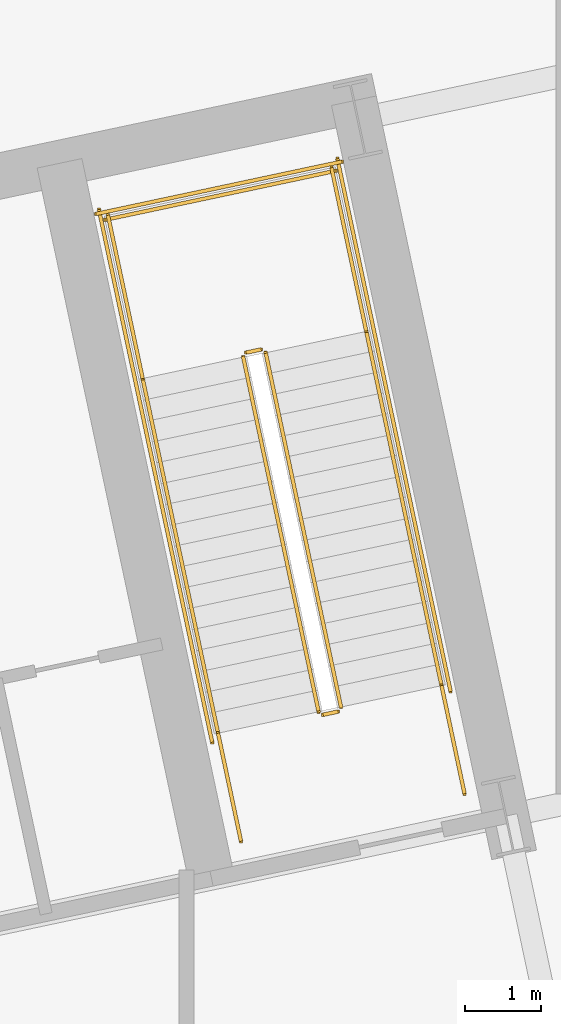
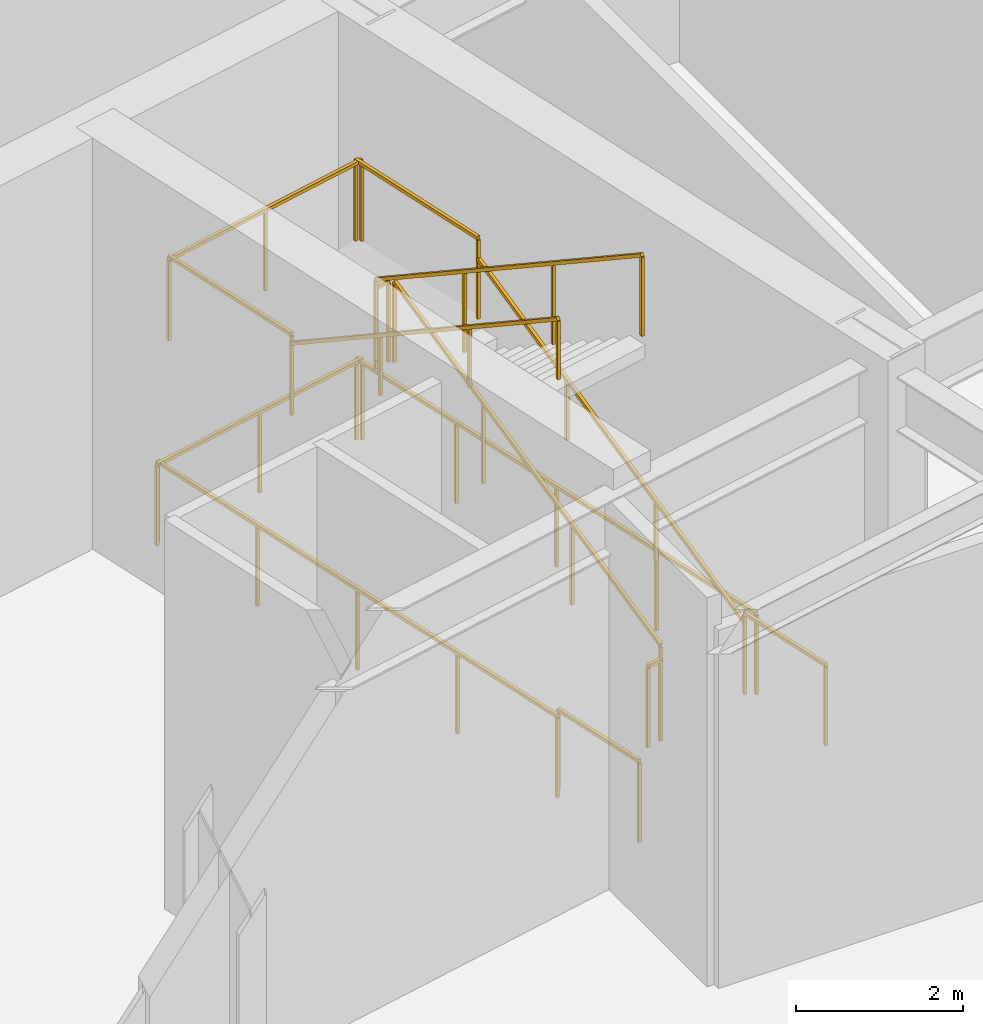
# One storey, part 29 of 30: 14 railings.
"""IFC4 building model written with IfcOpenShell, lengths in metres."""

from ifc_helpers import new_model, si_unit, direction, frame, origin, origin_2d, place, context, subcontext, project, spatial, rectangle, extrude, material, type_object, element, save


model = new_model("IFC4")

# Units and contexts
model_context = context("Model", 3, precision=1e-05, world=origin(), true_north=direction((0.0, 1.0)))
body_context = subcontext(model_context, "Body", "Model", "MODEL_VIEW")
ifc_project = project(units=[si_unit("LENGTHUNIT", "METRE"), si_unit("AREAUNIT", "SQUARE_METRE"), si_unit("VOLUMEUNIT", "CUBIC_METRE"), si_unit("PLANEANGLEUNIT", "RADIAN"), si_unit("MASSUNIT", "GRAM", prefix="KILO")], contexts=[model_context])

# Site, building, storey
site_placement = place(None, origin())
site = spatial("IfcSite", under=ifc_project, at=site_placement, CompositionType="ELEMENT")
building_placement = place(site_placement, origin())
building = spatial("IfcBuilding", under=site, at=building_placement, Name="Haevon Station Towers", CompositionType="ELEMENT")
storey_placement = place(building_placement, origin())
storey = spatial("IfcBuildingStorey", under=building, at=storey_placement, Name="L00", CompositionType="ELEMENT", Elevation=0.0)

# Railings
ifc_material = material(Name="Steel S355", Category="steel")
railing_type_1 = type_object("IfcRailingType", Name="GRD-STR1200", PredefinedType="GUARDRAIL", material=ifc_material)
railing_1_placement = place(storey_placement, frame((117.128662109375, 43.23974609375, 0.166748046875)))
element("IfcRailing", 1, at=railing_1_placement, inside=storey, type_object=railing_type_1, Name="L00 ST4 Stair Guard 1", PredefinedType="GUARDRAIL", context=body_context, shape_type="SweptSolid", body=[
    extrude(rectangle(XDim=0.048095703125, YDim=0.048095703125, at=origin_2d()), frame((0.0, 0.0, 1.17578125), z_axis=(-0.178672855234, 0.840520479072, 0.511469779227), x_axis=(-0.978144118706, -0.207928071797, 0.0)), (0.0, 0.0, 1.0), 5.53955078125),
    extrude(rectangle(XDim=0.0419921875, YDim=0.0419921875, at=origin_2d()), origin(), (0.0, 0.0, 1.0), 1.15185546875),
    extrude(rectangle(XDim=0.0419921875, YDim=0.0419921875, at=origin_2d()), frame((-0.329833984375, 1.552001953125, 0.9443359375)), (0.0, 0.0, 1.0), 1.15185546875),
    extrude(rectangle(XDim=0.0419921875, YDim=0.0419921875, at=origin_2d()), frame((-0.659912109375, 3.10400390625, 1.888916015625)), (0.0, 0.0, 1.0), 1.15185546875),
    extrude(rectangle(XDim=0.0419921875, YDim=0.0419921875, at=origin_2d()), frame((-0.98974609375, 4.656005859375, 2.833251953125)), (0.0, 0.0, 1.0), 1.15185546875),
])
railing_2_placement = place(storey_placement, frame((116.07958984375, 47.934326171875, 3.0)))
element("IfcRailing", 2, at=railing_2_placement, inside=storey, type_object=railing_type_1, Name="L00 ST4 Stair Guard 2", PredefinedType="GUARDRAIL", context=body_context, shape_type="SweptSolid", body=[
    extrude(rectangle(XDim=0.048095703125, YDim=0.048095703125, at=origin_2d()), frame((0.0, 0.0, 1.17578125), z_axis=(-0.977962931203, -0.208778603291, 0.0), x_axis=(0.208778603291, -0.977962931203, 0.0)), (0.0, 0.0, 1.0), 0.199951171875),
    extrude(rectangle(XDim=0.0419921875, YDim=0.0419921875, at=origin_2d()), origin(), (0.0, 0.0, 1.0), 1.15185546875),
    extrude(rectangle(XDim=0.0419921875, YDim=0.0419921875, at=origin_2d()), frame((-0.195556640625, -0.041748046875, 0.0)), (0.0, 0.0, 1.0), 1.15185546875),
])
for number, where, name in (
    (3, (117.45947265625, 48.176513671875, 3.0), "L00 ST4 Stair Guard 3"),
    (4, (114.52490234375, 47.552734375, 3.0), "L00 ST4 Stair Guard 4"),
):
    element("IfcRailing", number, at=place(storey_placement, frame(where)), inside=storey, type_object=railing_type_1, Name=name, PredefinedType="GUARDRAIL", context=body_context, shape_type="SweptSolid", body=[
        extrude(rectangle(XDim=0.048095703125, YDim=0.048095703125, at=origin_2d()), frame((0.0, 0.0, 1.17578125), z_axis=(-0.207914755032, 0.97814694941, 0.0), x_axis=(-0.97814694941, -0.207914755032, 0.0)), (0.0, 0.0, 1.0), 2.18994140625),
        extrude(rectangle(XDim=0.0419921875, YDim=0.0419921875, at=origin_2d()), origin(), (0.0, 0.0, 1.0), 1.15185546875),
        extrude(rectangle(XDim=0.0419921875, YDim=0.0419921875, at=origin_2d()), frame((-0.455322265625, 2.14208984375, 0.0)), (0.0, 0.0, 1.0), 1.15185546875),
    ])
railing_3_placement = place(storey_placement, frame((117.0634765625, 50.280029296875, 3.0)))
element("IfcRailing", 5, at=railing_3_placement, inside=storey, type_object=railing_type_1, Name="L00 ST4 Stair Guard 5", PredefinedType="GUARDRAIL", context=body_context, shape_type="SweptSolid", body=[
    extrude(rectangle(XDim=0.048095703125, YDim=0.048095703125, at=origin_2d()), frame((0.0, 0.0, 1.17578125), z_axis=(-0.978146839882, -0.207915270313, 0.0), x_axis=(0.207915270313, -0.978146839882, 0.0)), (0.0, 0.0, 1.0), 3.099853515625),
    extrude(rectangle(XDim=0.0419921875, YDim=0.0419921875, at=origin_2d()), origin(), (0.0, 0.0, 1.0), 1.15185546875),
    extrude(rectangle(XDim=0.0419921875, YDim=0.0419921875, at=origin_2d()), frame((-1.51611328125, -0.322265625, 0.0)), (0.0, 0.0, 1.0), 1.15185546875),
    extrude(rectangle(XDim=0.0419921875, YDim=0.0419921875, at=origin_2d()), frame((-3.0322265625, -0.64453125, 0.0)), (0.0, 0.0, 1.0), 1.15185546875),
])
railing_4_placement = place(storey_placement, frame((115.845458984375, 47.833251953125, 3.166748046875)))
element("IfcRailing", 6, at=railing_4_placement, inside=storey, type_object=railing_type_1, Name="L00 ST4 Stair Guard 6", PredefinedType="GUARDRAIL", context=body_context, shape_type="SweptSolid", body=[
    extrude(rectangle(XDim=0.048095703125, YDim=0.048095703125, at=origin_2d()), frame((0.0, 0.0, 1.17578125), z_axis=(0.178672855234, -0.840520479072, 0.511469779227), x_axis=(0.978144118706, 0.207928071797, 0.0)), (0.0, 0.0, 1.0), 5.53955078125),
    extrude(rectangle(XDim=0.0419921875, YDim=0.0419921875, at=origin_2d()), origin(), (0.0, 0.0, 1.0), 1.15185546875),
    extrude(rectangle(XDim=0.0419921875, YDim=0.0419921875, at=origin_2d()), frame((0.329833984375, -1.552001953125, 0.9443359375)), (0.0, 0.0, 1.0), 1.15185546875),
    extrude(rectangle(XDim=0.0419921875, YDim=0.0419921875, at=origin_2d()), frame((0.659912109375, -3.10400390625, 1.888916015625)), (0.0, 0.0, 1.0), 1.15185546875),
    extrude(rectangle(XDim=0.0419921875, YDim=0.0419921875, at=origin_2d()), frame((0.98974609375, -4.656005859375, 2.833251953125)), (0.0, 0.0, 1.0), 1.15185546875),
])
railing_5_placement = place(storey_placement, frame((117.090087890625, 43.180419921875, 0.0)))
element("IfcRailing", 7, at=railing_5_placement, inside=storey, type_object=railing_type_1, Name="L00 ST4 Stair Guard 7", PredefinedType="GUARDRAIL", context=body_context, shape_type="SweptSolid", body=[
    extrude(rectangle(XDim=0.048095703125, YDim=0.048095703125, at=origin_2d()), frame((0.0, 0.0, 1.17578125), z_axis=(-0.978211583308, -0.207610448392, 0.0), x_axis=(0.207610448392, -0.978211583308, 0.0)), (0.0, 0.0, 1.0), 0.199951171875),
    extrude(rectangle(XDim=0.0419921875, YDim=0.0419921875, at=origin_2d()), origin(), (0.0, 0.0, 1.0), 1.15185546875),
    extrude(rectangle(XDim=0.0419921875, YDim=0.0419921875, at=origin_2d()), frame((-0.195556640625, -0.04150390625, 0.0)), (0.0, 0.0, 1.0), 1.15185546875),
])
for number, where, name in (
    (8, (118.75048828125, 42.10205078125, 0.0), "L00 ST4 Stair Guard 8"),
    (9, (115.816162109375, 41.478271484375, 0.0), "L00 ST4 Stair Guard 9"),
):
    element("IfcRailing", number, at=place(storey_placement, frame(where)), inside=storey, type_object=railing_type_1, Name=name, PredefinedType="GUARDRAIL", context=body_context, shape_type="SweptSolid", body=[
        extrude(rectangle(XDim=0.048095703125, YDim=0.048095703125, at=origin_2d()), frame((0.0, 0.0, 1.17578125), z_axis=(-0.207919161079, 0.978146012851, 0.0), x_axis=(-0.978146012851, -0.207919161079, 0.0)), (0.0, 0.0, 1.0), 1.4501953125),
        extrude(rectangle(XDim=0.0419921875, YDim=0.0419921875, at=origin_2d()), origin(), (0.0, 0.0, 1.0), 1.15185546875),
        extrude(rectangle(XDim=0.0419921875, YDim=0.0419921875, at=origin_2d()), frame((-0.301513671875, 1.41845703125, 0.0)), (0.0, 0.0, 1.0), 1.15185546875),
    ])
railing_6_placement = place(storey_placement, frame((118.567626953125, 43.443359375, 0.0)))
element("IfcRailing", 10, at=railing_6_placement, inside=storey, type_object=railing_type_1, Name="L00 ST4 Stair Guard 10", PredefinedType="GUARDRAIL", context=body_context, shape_type="SweptSolid", body=[
    extrude(rectangle(XDim=0.048095703125, YDim=0.048095703125, at=origin_2d()), frame((0.0, 0.0, 1.17578125), z_axis=(-0.207908168386, 0.978148349443, 0.0), x_axis=(-0.978148349443, -0.207908168386, 0.0)), (0.0, 0.0, 1.0), 7.150146484375),
    extrude(rectangle(XDim=0.0419921875, YDim=0.0419921875, at=origin_2d()), origin(), (0.0, 0.0, 1.0), 1.15185546875),
    extrude(rectangle(XDim=0.0419921875, YDim=0.0419921875, at=origin_2d()), frame((-0.37158203125, 1.74853515625, 0.0)), (0.0, 0.0, 1.0), 1.15185546875),
    extrude(rectangle(XDim=0.0419921875, YDim=0.0419921875, at=origin_2d()), frame((-0.7431640625, 3.4970703125, 0.0)), (0.0, 0.0, 1.0), 1.15185546875),
    extrude(rectangle(XDim=0.0419921875, YDim=0.0419921875, at=origin_2d()), frame((-1.114990234375, 5.245361328125, 0.0)), (0.0, 0.0, 1.0), 1.15185546875),
    extrude(rectangle(XDim=0.0419921875, YDim=0.0419921875, at=origin_2d()), frame((-1.486572265625, 6.993896484375, 0.0)), (0.0, 0.0, 1.0), 1.15185546875),
])
railing_7_placement = place(storey_placement, frame((115.4375, 42.778076171875, 0.0)))
element("IfcRailing", 11, at=railing_7_placement, inside=storey, type_object=railing_type_1, Name="L00 ST4 Stair Guard 11", PredefinedType="GUARDRAIL", context=body_context, shape_type="SweptSolid", body=[
    extrude(rectangle(XDim=0.048095703125, YDim=0.048095703125, at=origin_2d()), frame((0.0, 0.0, 1.17578125), z_axis=(-0.207882442208, 0.978153817261, 0.0), x_axis=(-0.978153817261, -0.207882442208, 0.0)), (0.0, 0.0, 1.0), 7.14990234375),
    extrude(rectangle(XDim=0.0419921875, YDim=0.0419921875, at=origin_2d()), origin(), (0.0, 0.0, 1.0), 1.15185546875),
    extrude(rectangle(XDim=0.0419921875, YDim=0.0419921875, at=origin_2d()), frame((-0.37158203125, 1.74853515625, 0.0)), (0.0, 0.0, 1.0), 1.15185546875),
    extrude(rectangle(XDim=0.0419921875, YDim=0.0419921875, at=origin_2d()), frame((-0.7431640625, 3.496826171875, 0.0)), (0.0, 0.0, 1.0), 1.15185546875),
    extrude(rectangle(XDim=0.0419921875, YDim=0.0419921875, at=origin_2d()), frame((-1.11474609375, 5.2451171875, 0.0)), (0.0, 0.0, 1.0), 1.15185546875),
    extrude(rectangle(XDim=0.0419921875, YDim=0.0419921875, at=origin_2d()), frame((-1.486328125, 6.99365234375, 0.0)), (0.0, 0.0, 1.0), 1.15185546875),
])
railing_8_placement = place(storey_placement, frame((117.140380859375, 50.398681640625, 0.0)))
element("IfcRailing", 12, at=railing_8_placement, inside=storey, type_object=railing_type_1, Name="L00 ST4 Stair Guard 12", PredefinedType="GUARDRAIL", context=body_context, shape_type="SweptSolid", body=[
    extrude(rectangle(XDim=0.048095703125, YDim=0.048095703125, at=origin_2d()), frame((0.0, 0.0, 1.17578125), z_axis=(-0.978135717418, -0.207967589567, 0.0), x_axis=(0.207967589567, -0.978135717418, 0.0)), (0.0, 0.0, 1.0), 3.300048828125),
    extrude(rectangle(XDim=0.0419921875, YDim=0.0419921875, at=origin_2d()), origin(), (0.0, 0.0, 1.0), 1.15185546875),
    extrude(rectangle(XDim=0.0419921875, YDim=0.0419921875, at=origin_2d()), frame((-1.61376953125, -0.34326171875, 0.0)), (0.0, 0.0, 1.0), 1.15185546875),
    extrude(rectangle(XDim=0.0419921875, YDim=0.0419921875, at=origin_2d()), frame((-3.227783203125, -0.686279296875, 0.0)), (0.0, 0.0, 1.0), 1.15185546875),
])
railing_type_2 = type_object("IfcRailingType", Name="HND-STR900", PredefinedType="HANDRAIL", material=ifc_material)
railing_9_placement = place(storey_placement, frame((118.448974609375, 43.5205078125, 0.166748046875)))
element("IfcRailing", 13, at=railing_9_placement, inside=storey, type_object=railing_type_2, Name="L00 ST4 Stair Handrail 1", PredefinedType="HANDRAIL", context=body_context, shape_type="SweptSolid", body=[
    extrude(rectangle(XDim=0.048095703125, YDim=0.048095703125, at=origin_2d()), frame((0.0, 0.0, 0.8759765625), z_axis=(-0.178630188498, 0.840527097172, 0.511473806443), x_axis=(-0.978154549052, -0.207878998863, 0.0)), (0.0, 0.0, 1.0), 5.539306640625),
    extrude(rectangle(XDim=0.0419921875, YDim=0.0419921875, at=origin_2d()), origin(), (0.0, 0.0, 1.0), 0.851806640625),
    extrude(rectangle(XDim=0.0419921875, YDim=0.0419921875, at=origin_2d()), frame((-0.329833984375, 1.552001953125, 0.9443359375)), (0.0, 0.0, 1.0), 0.851806640625),
    extrude(rectangle(XDim=0.0419921875, YDim=0.0419921875, at=origin_2d()), frame((-0.65966796875, 3.10400390625, 1.888916015625)), (0.0, 0.0, 1.0), 0.851806640625),
    extrude(rectangle(XDim=0.0419921875, YDim=0.0419921875, at=origin_2d()), frame((-0.989501953125, 4.656005859375, 2.833251953125)), (0.0, 0.0, 1.0), 0.851806640625),
])
railing_10_placement = place(storey_placement, frame((114.52490234375, 47.552734375, 3.166748046875)))
element("IfcRailing", 14, at=railing_10_placement, inside=storey, type_object=railing_type_2, Name="L00 ST4 Stair Handrail 2", PredefinedType="HANDRAIL", context=body_context, shape_type="SweptSolid", body=[
    extrude(rectangle(XDim=0.048095703125, YDim=0.048095703125, at=origin_2d()), frame((0.0, 0.0, 0.8759765625), z_axis=(0.178672855234, -0.840520479072, 0.511469779227), x_axis=(0.978144118706, 0.207928071797, 0.0)), (0.0, 0.0, 1.0), 5.53955078125),
    extrude(rectangle(XDim=0.0419921875, YDim=0.0419921875, at=origin_2d()), origin(), (0.0, 0.0, 1.0), 0.851806640625),
    extrude(rectangle(XDim=0.0419921875, YDim=0.0419921875, at=origin_2d()), frame((0.329833984375, -1.552001953125, 0.9443359375)), (0.0, 0.0, 1.0), 0.851806640625),
    extrude(rectangle(XDim=0.0419921875, YDim=0.0419921875, at=origin_2d()), frame((0.659912109375, -3.10400390625, 1.888916015625)), (0.0, 0.0, 1.0), 0.851806640625),
    extrude(rectangle(XDim=0.0419921875, YDim=0.0419921875, at=origin_2d()), frame((0.98974609375, -4.656005859375, 2.833251953125)), (0.0, 0.0, 1.0), 0.851806640625),
])

save(model, "model.ifc")
